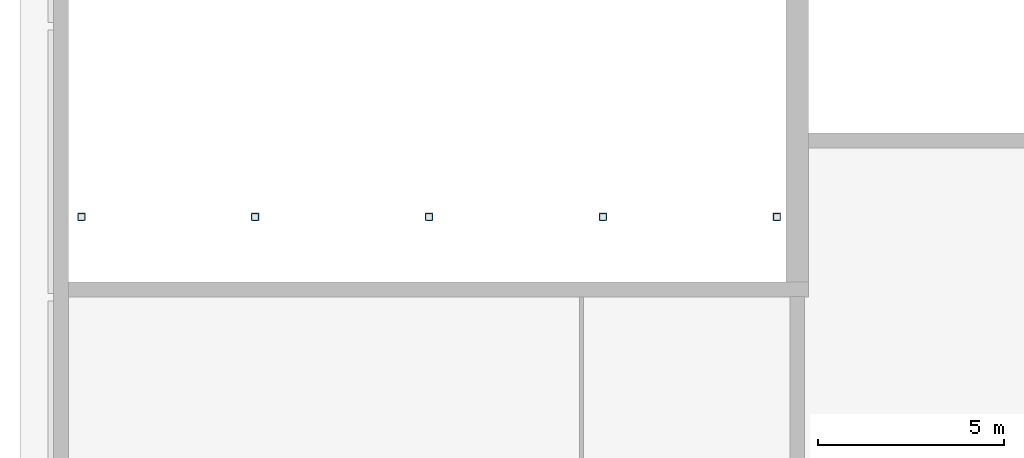
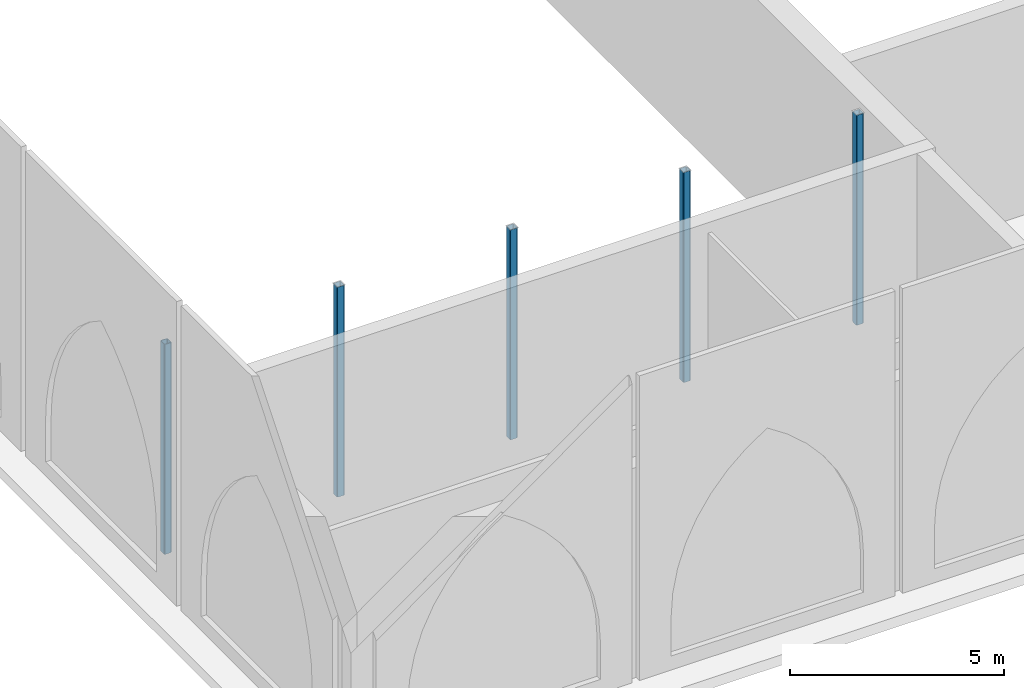
# One storey, part 1 of 74: 5 columns.
"""IFC4 building model written with IfcOpenShell, lengths in metres."""

from ifc_helpers import new_model, si_unit, direction, frame, origin, origin_2d, place, context, subcontext, project, spatial, hollow_rectangle, extrude, material, material_profile, profile_set, type_object, element, save


model = new_model("IFC4")

# Units and contexts
model_context = context("Model", 3, precision=1e-05, world=origin(), true_north=direction((0.0, 1.0)))
body_context = subcontext(model_context, "Body", "Model", "MODEL_VIEW")
ifc_project = project(units=[si_unit("LENGTHUNIT", "METRE"), si_unit("AREAUNIT", "SQUARE_METRE"), si_unit("VOLUMEUNIT", "CUBIC_METRE"), si_unit("PLANEANGLEUNIT", "RADIAN"), si_unit("MASSUNIT", "GRAM", prefix="KILO")], contexts=[model_context])

# Site, building, storey
site_placement = place(None, origin())
site = spatial("IfcSite", under=ifc_project, at=site_placement, CompositionType="ELEMENT")
building_placement = place(site_placement, origin())
building = spatial("IfcBuilding", under=site, at=building_placement, Name="Noorbagh Ring Tower", CompositionType="ELEMENT")
storey_placement = place(building_placement, frame((0.0, 0.0, 13.5)))
storey = spatial("IfcBuildingStorey", under=building, at=storey_placement, Name="L02", CompositionType="ELEMENT", Elevation=13.5)

# Columns
ifc_material = material(Name="Steel S355", Category="steel")
ifc_material_profile = material_profile(ifc_material, hollow_rectangle(XDim=0.199951171875, YDim=0.199951171875, WallThickness=0.012451171875, InnerFilletRadius=0.012451171875, OuterFilletRadius=0.03125, at=origin_2d()), Name="SHS200x200x12.5")
ifc_profile_set = profile_set([ifc_material_profile], Name="Steel S355")
column_type = type_object("IfcColumnType", Name="TH-COL-POST", PredefinedType="COLUMN", material=ifc_profile_set)
for number, where, z_axis, x_axis, name in (
    (1, (-159.25, -11.050048828125, 0.0), (0.0, 0.0, 1.0), (1.0, 0.0, 0.0), "L02/th-col/gal-S0"),
    (2, (-154.574951171875, -11.050048828125, 0.0), (0.0, 0.0, 1.0), (1.0, 0.0, 0.0), "L02/th-col/gal-S1"),
    (3, (-149.89990234375, -11.050048828125, 0.0), (0.0, 0.0, 1.0), (1.0, 0.0, 0.0), "L02/th-col/gal-S2"),
    (4, (-145.22509765625, -11.050048828125, 0.0), (0.0, 0.0, 1.0), (1.0, 0.0, 0.0), "L02/th-col/gal-S3"),
    (5, (-140.550048828125, -11.050048828125, 0.0), (0.0, 0.0, 1.0), (1.0, 0.0, 0.0), "L02/th-col/gal-S4"),
):
    element("IfcColumn", number, at=place(storey_placement, frame(where, z_axis=z_axis, x_axis=x_axis)), inside=storey, type_object=column_type, Name=name, PredefinedType="COLUMN", context=body_context, shape_type="SweptSolid", body=[
        extrude(hollow_rectangle(XDim=0.199951171875, YDim=0.199951171875, WallThickness=0.012451171875, InnerFilletRadius=0.012451171875, OuterFilletRadius=0.03125, at=origin_2d()), origin(), (0.0, 0.0, 1.0), 6.0),
    ])

save(model, "model.ifc")
